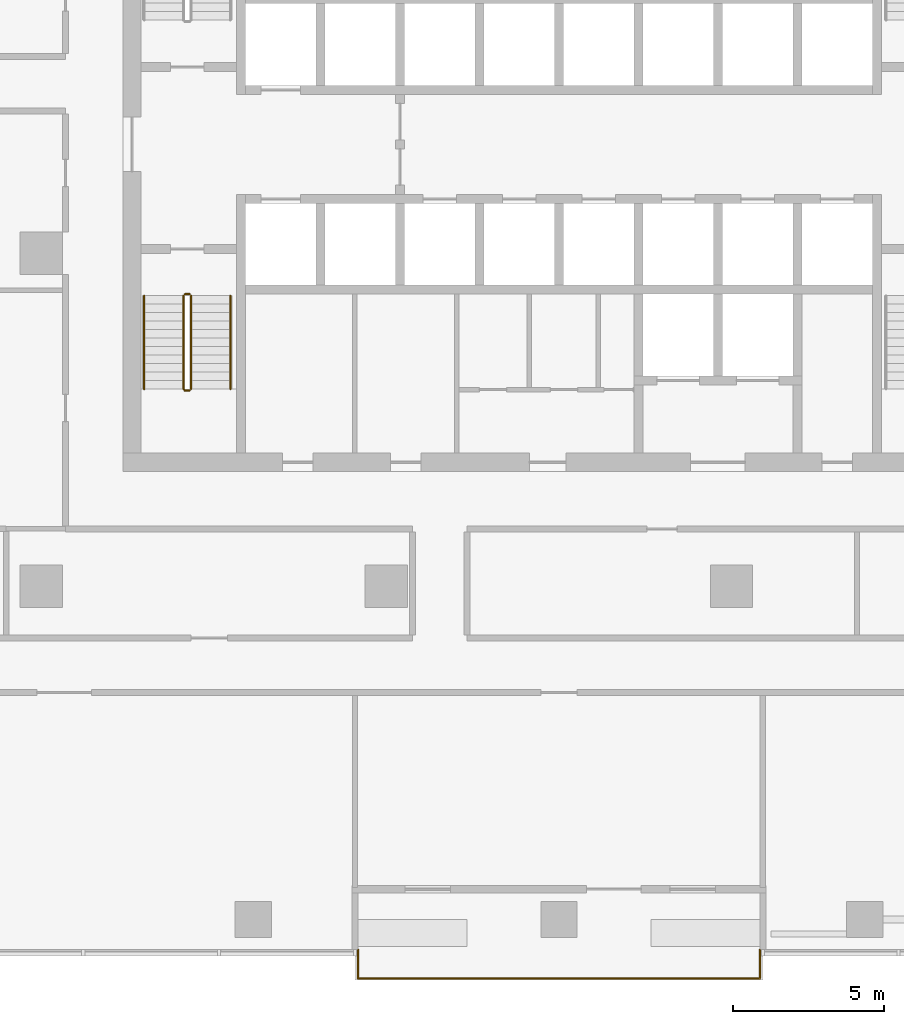
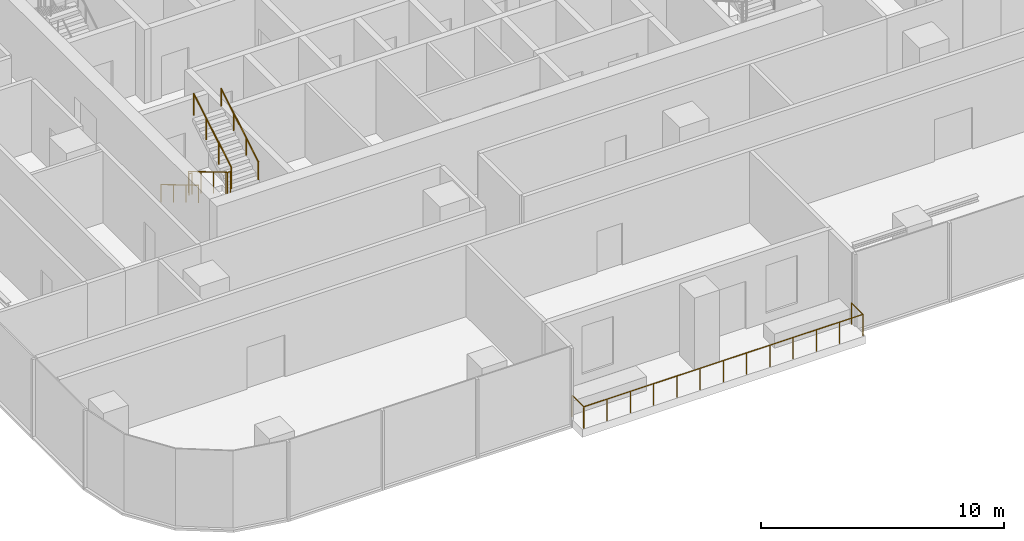
# One storey, part 12 of 15: 6 railings.
"""IFC4 building model written with IfcOpenShell, lengths in metres."""

from ifc_helpers import new_model, si_unit, direction, frame, origin, origin_2d, place, context, subcontext, project, spatial, circle, extrude, material, type_object, element, save


model = new_model("IFC4")

# Units and contexts
model_context = context("Model", 3, precision=1e-05, world=origin(), true_north=direction((0.0, 1.0)))
body_context = subcontext(model_context, "Body", "Model", "MODEL_VIEW")
ifc_project = project(units=[si_unit("LENGTHUNIT", "METRE"), si_unit("AREAUNIT", "SQUARE_METRE"), si_unit("VOLUMEUNIT", "CUBIC_METRE"), si_unit("PLANEANGLEUNIT", "RADIAN"), si_unit("MASSUNIT", "GRAM", prefix="KILO")], contexts=[model_context])

# Site, building, storey
site_placement = place(None, origin())
site = spatial("IfcSite", under=ifc_project, at=site_placement, CompositionType="ELEMENT")
building_placement = place(site_placement, origin())
building = spatial("IfcBuilding", under=site, at=building_placement, Name="Mopane Tessera Tower", CompositionType="ELEMENT")
storey_placement = place(building_placement, frame((0.0, 0.0, 177.0)))
storey = spatial("IfcBuildingStorey", under=building, at=storey_placement, Name="L36", CompositionType="ELEMENT", Elevation=177.0)

# Railings
ifc_material_1 = material(Name="Powder-coated steel balustrade", Category="steel")
railing_type_1 = type_object("IfcRailingType", Name="Escape stair guard 1100 mm", PredefinedType="GUARDRAIL", material=ifc_material_1)
railing_1_placement = place(storey_placement, frame((-12.39990234375, -1.39990234375, 0.166748046875)))
element("IfcRailing", 1, at=railing_1_placement, inside=storey, type_object=railing_type_1, Name="L36 ST1 stair guard 1", PredefinedType="GUARDRAIL", context=body_context, shape_type="SweptSolid", body=[
    extrude(circle(Radius=0.02392578125, at=origin_2d()), frame((0.0, 0.0, 1.076171875), z_axis=(0.0, -0.859308565015, 0.511457515432), x_axis=(1.0, 0.0, 0.0)), (0.0, 0.0, 1.0), 3.58447265625),
    extrude(circle(Radius=0.02392578125, at=origin_2d()), frame((0.0, -3.080078125, 2.9091796875), z_axis=(0.705375805398, -0.708833529934, 0.0), x_axis=(0.708833529934, 0.705375805398, 0.0)), (0.0, 0.0, 1.0), 0.070556640625),
    extrude(circle(Radius=0.02392578125, at=origin_2d()), frame((0.0498046875, -3.130126953125, 2.9091796875), z_axis=(1.0, 0.0, 0.0), x_axis=(0.0, 1.0, 0.0)), (0.0, 0.0, 1.0), 0.150146484375),
    extrude(circle(Radius=0.02099609375, at=origin_2d()), origin(), (0.0, 0.0, 1.0), 1.052001953125),
    extrude(circle(Radius=0.02099609375, at=origin_2d()), frame((0.0, -1.026611328125, 0.611083984375)), (0.0, 0.0, 1.0), 1.052001953125),
    extrude(circle(Radius=0.02099609375, at=origin_2d()), frame((0.0, -2.053466796875, 1.22216796875)), (0.0, 0.0, 1.0), 1.052001953125),
    extrude(circle(Radius=0.02099609375, at=origin_2d()), frame((0.0, -3.080078125, 1.833251953125)), (0.0, 0.0, 1.0), 1.052001953125),
    extrude(circle(Radius=0.02099609375, at=origin_2d()), frame((0.0498046875, -3.130126953125, 1.833251953125)), (0.0, 0.0, 1.0), 1.052001953125),
    extrude(circle(Radius=0.02099609375, at=origin_2d()), frame((0.199951171875, -3.130126953125, 1.833251953125)), (0.0, 0.0, 1.0), 1.052001953125),
])
railing_2_placement = place(storey_placement, frame((-12.14990234375, -4.47998046875, 2.166748046875)))
element("IfcRailing", 2, at=railing_2_placement, inside=storey, type_object=railing_type_1, Name="L36 ST1 stair guard 2", PredefinedType="GUARDRAIL", context=body_context, shape_type="SweptSolid", body=[
    extrude(circle(Radius=0.02392578125, at=origin_2d()), frame((0.0, 0.0, 1.076171875), z_axis=(0.0, 0.859308565015, 0.511457515432), x_axis=(-1.0, 0.0, 0.0)), (0.0, 0.0, 1.0), 3.58447265625),
    extrude(circle(Radius=0.02099609375, at=origin_2d()), origin(), (0.0, 0.0, 1.0), 1.052001953125),
    extrude(circle(Radius=0.02099609375, at=origin_2d()), frame((0.0, 1.026611328125, 0.611083984375)), (0.0, 0.0, 1.0), 1.052001953125),
    extrude(circle(Radius=0.02099609375, at=origin_2d()), frame((0.0, 2.053466796875, 1.22216796875)), (0.0, 0.0, 1.0), 1.052001953125),
    extrude(circle(Radius=0.02099609375, at=origin_2d()), frame((0.0, 3.080078125, 1.833251953125)), (0.0, 0.0, 1.0), 1.052001953125),
])
railing_3_placement = place(storey_placement, frame((-12.35009765625, -1.35009765625, 0.0)))
element("IfcRailing", 3, at=railing_3_placement, inside=storey, type_object=railing_type_1, Name="L36 ST1 stair guard 3", PredefinedType="GUARDRAIL", context=body_context, shape_type="SweptSolid", body=[
    extrude(circle(Radius=0.02392578125, at=origin_2d()), frame((0.0, 0.0, 1.076171875), z_axis=(1.0, 0.0, 0.0), x_axis=(0.0, 1.0, 0.0)), (0.0, 0.0, 1.0), 0.150146484375),
    extrude(circle(Radius=0.02099609375, at=origin_2d()), origin(), (0.0, 0.0, 1.0), 1.052001953125),
    extrude(circle(Radius=0.02099609375, at=origin_2d()), frame((0.150146484375, 0.0, 0.0)), (0.0, 0.0, 1.0), 1.052001953125),
])
ifc_material_2 = material(Name="Powder-coated steel balustrade", Category="steel")
railing_type_2 = type_object("IfcRailingType", Name="Escape stair handrail 900 mm", PredefinedType="HANDRAIL", material=ifc_material_2)
railing_4_placement = place(storey_placement, frame((-13.699951171875, -1.39990234375, 0.166748046875)))
element("IfcRailing", 4, at=railing_4_placement, inside=storey, type_object=railing_type_2, Name="L36 ST1 stair handrail 1", PredefinedType="HANDRAIL", context=body_context, shape_type="SweptSolid", body=[
    extrude(circle(Radius=0.02392578125, at=origin_2d()), frame((0.0, 0.0, 0.8759765625), z_axis=(0.0, -0.859308565015, 0.511457515432), x_axis=(1.0, 0.0, 0.0)), (0.0, 0.0, 1.0), 3.58447265625),
    extrude(circle(Radius=0.02099609375, at=origin_2d()), origin(), (0.0, 0.0, 1.0), 0.851806640625),
    extrude(circle(Radius=0.02099609375, at=origin_2d()), frame((0.0, -1.026611328125, 0.611083984375)), (0.0, 0.0, 1.0), 0.851806640625),
    extrude(circle(Radius=0.02099609375, at=origin_2d()), frame((0.0, -2.053466796875, 1.22216796875)), (0.0, 0.0, 1.0), 0.851806640625),
    extrude(circle(Radius=0.02099609375, at=origin_2d()), frame((0.0, -3.080078125, 1.833251953125)), (0.0, 0.0, 1.0), 0.851806640625),
])
railing_5_placement = place(storey_placement, frame((-10.85009765625, -4.47998046875, 2.166748046875)))
element("IfcRailing", 5, at=railing_5_placement, inside=storey, type_object=railing_type_2, Name="L36 ST1 stair handrail 2", PredefinedType="HANDRAIL", context=body_context, shape_type="SweptSolid", body=[
    extrude(circle(Radius=0.02392578125, at=origin_2d()), frame((0.0, 0.0, 0.8759765625), z_axis=(0.0, 0.859308565015, 0.511457515432), x_axis=(-1.0, 0.0, 0.0)), (0.0, 0.0, 1.0), 3.58447265625),
    extrude(circle(Radius=0.02099609375, at=origin_2d()), origin(), (0.0, 0.0, 1.0), 0.851806640625),
    extrude(circle(Radius=0.02099609375, at=origin_2d()), frame((0.0, 1.026611328125, 0.611083984375)), (0.0, 0.0, 1.0), 0.851806640625),
    extrude(circle(Radius=0.02099609375, at=origin_2d()), frame((0.0, 2.053466796875, 1.22216796875)), (0.0, 0.0, 1.0), 0.851806640625),
    extrude(circle(Radius=0.02099609375, at=origin_2d()), frame((0.0, 3.080078125, 1.833251953125)), (0.0, 0.0, 1.0), 0.851806640625),
])
ifc_material_3 = material(Name="Stainless steel S316", Category="steel")
railing_type_3 = type_object("IfcRailingType", Name="Terrace guard 1100", PredefinedType="GUARDRAIL", material=ifc_material_3)
railing_6_placement = place(storey_placement, frame((-6.63330078125, -23.0, 0.0)))
element("IfcRailing", 6, at=railing_6_placement, inside=storey, type_object=railing_type_3, Name="e:nw:L36:N2:guard", PredefinedType="GUARDRAIL", context=body_context, shape_type="SweptSolid", body=[
    extrude(circle(Radius=0.02392578125, at=origin_2d()), frame((0.0, 0.0, 1.076171875), z_axis=(0.0, -1.0, 0.0), x_axis=(1.0, 0.0, 0.0)), (0.0, 0.0, 1.0), 0.949951171875),
    extrude(circle(Radius=0.02392578125, at=origin_2d()), frame((0.0, -0.949951171875, 1.076171875), z_axis=(1.0, 0.0, 0.0), x_axis=(0.0, 1.0, 0.0)), (0.0, 0.0, 1.0), 13.2666015625),
    extrude(circle(Radius=0.02392578125, at=origin_2d()), frame((13.2666015625, -0.949951171875, 1.076171875), z_axis=(0.0, 1.0, 0.0), x_axis=(-1.0, 0.0, 0.0)), (0.0, 0.0, 1.0), 0.949951171875),
    extrude(circle(Radius=0.02099609375, at=origin_2d()), origin(), (0.0, 0.0, 1.0), 1.052001953125),
    extrude(circle(Radius=0.02099609375, at=origin_2d()), frame((0.0, -0.949951171875, 0.0)), (0.0, 0.0, 1.0), 1.052001953125),
    extrude(circle(Radius=0.02099609375, at=origin_2d()), frame((1.10546875, -0.949951171875, 0.0)), (0.0, 0.0, 1.0), 1.052001953125),
    extrude(circle(Radius=0.02099609375, at=origin_2d()), frame((2.211181640625, -0.949951171875, 0.0)), (0.0, 0.0, 1.0), 1.052001953125),
    extrude(circle(Radius=0.02099609375, at=origin_2d()), frame((3.316650390625, -0.949951171875, 0.0)), (0.0, 0.0, 1.0), 1.052001953125),
    extrude(circle(Radius=0.02099609375, at=origin_2d()), frame((4.422119140625, -0.949951171875, 0.0)), (0.0, 0.0, 1.0), 1.052001953125),
    extrude(circle(Radius=0.02099609375, at=origin_2d()), frame((5.52783203125, -0.949951171875, 0.0)), (0.0, 0.0, 1.0), 1.052001953125),
    extrude(circle(Radius=0.02099609375, at=origin_2d()), frame((6.63330078125, -0.949951171875, 0.0)), (0.0, 0.0, 1.0), 1.052001953125),
    extrude(circle(Radius=0.02099609375, at=origin_2d()), frame((7.73876953125, -0.949951171875, 0.0)), (0.0, 0.0, 1.0), 1.052001953125),
    extrude(circle(Radius=0.02099609375, at=origin_2d()), frame((8.844482421875, -0.949951171875, 0.0)), (0.0, 0.0, 1.0), 1.052001953125),
    extrude(circle(Radius=0.02099609375, at=origin_2d()), frame((9.949951171875, -0.949951171875, 0.0)), (0.0, 0.0, 1.0), 1.052001953125),
    extrude(circle(Radius=0.02099609375, at=origin_2d()), frame((11.055419921875, -0.949951171875, 0.0)), (0.0, 0.0, 1.0), 1.052001953125),
    extrude(circle(Radius=0.02099609375, at=origin_2d()), frame((12.1611328125, -0.949951171875, 0.0)), (0.0, 0.0, 1.0), 1.052001953125),
    extrude(circle(Radius=0.02099609375, at=origin_2d()), frame((13.2666015625, -0.949951171875, 0.0)), (0.0, 0.0, 1.0), 1.052001953125),
    extrude(circle(Radius=0.02099609375, at=origin_2d()), frame((13.2666015625, 0.0, 0.0)), (0.0, 0.0, 1.0), 1.052001953125),
])

save(model, "model.ifc")
